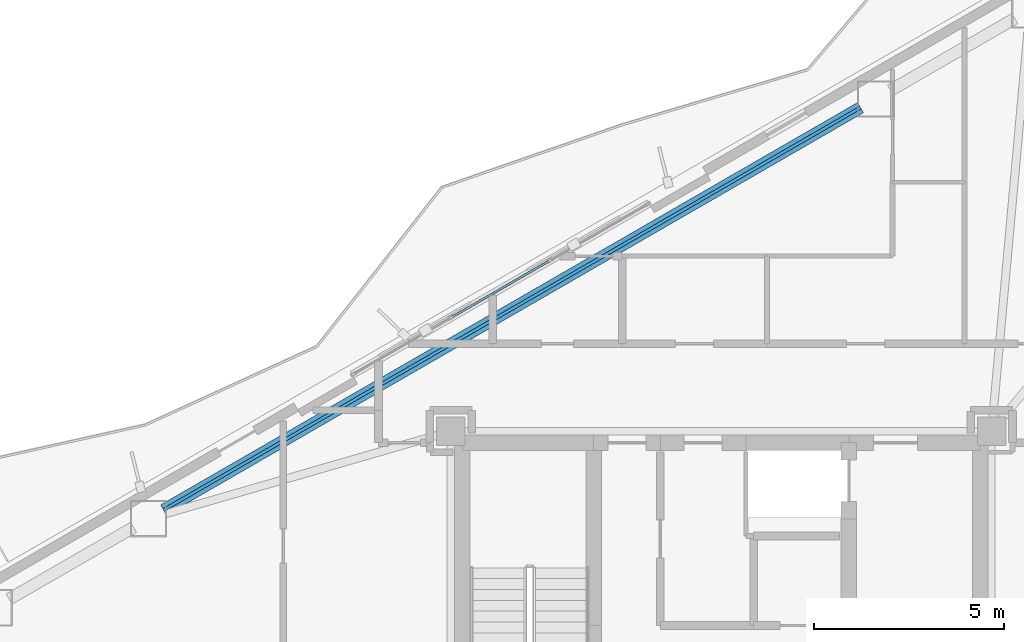
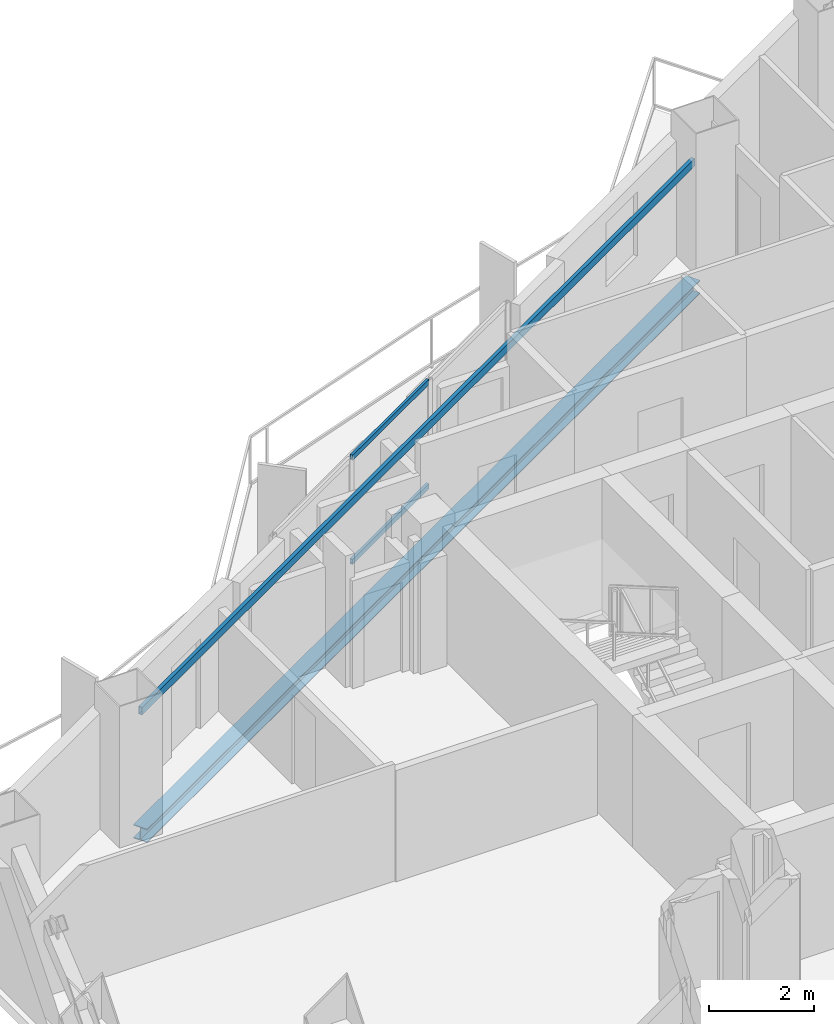
# One storey, part 9 of 21: 2 beams, 2 members, 1 element without a shape of its own.
"""IFC4 building model written with IfcOpenShell, lengths in metres."""

from ifc_helpers import new_model, si_unit, direction, frame, origin, origin_2d, place, context, subcontext, project, spatial, hollow_rectangle, i_section, extrude, material, layer, layer_set, material_profile, profile_set, type_object, element, aggregate, save


model = new_model("IFC4")

# Units and contexts
model_context = context("Model", 3, precision=1e-05, world=origin(), true_north=direction((0.0, 1.0)))
body_context = subcontext(model_context, "Body", "Model", "MODEL_VIEW")
ifc_project = project(units=[si_unit("LENGTHUNIT", "METRE"), si_unit("AREAUNIT", "SQUARE_METRE"), si_unit("VOLUMEUNIT", "CUBIC_METRE"), si_unit("PLANEANGLEUNIT", "RADIAN"), si_unit("MASSUNIT", "GRAM", prefix="KILO")], contexts=[model_context])

# Site, building, storey
site_placement = place(None, origin())
site = spatial("IfcSite", under=ifc_project, at=site_placement, CompositionType="ELEMENT")
building_placement = place(site_placement, origin())
building = spatial("IfcBuilding", under=site, at=building_placement, Name="Mersakhor Tower and Convention Hall", CompositionType="ELEMENT")
storey_placement = place(building_placement, frame((0.0, 0.0, 182.10009765625)))
storey = spatial("IfcBuildingStorey", under=building, at=storey_placement, Name="L50", CompositionType="ELEMENT", Elevation=182.10009765625)

# Beams
ifc_material_1 = material(Name="Steel S355", Category="steel")
ifc_material_profile_1 = material_profile(ifc_material_1, hollow_rectangle(XDim=0.080078125, YDim=0.179931640625, WallThickness=0.008056640625, at=origin_2d()), Name="RHS 180x80x8")
ifc_profile_set_1 = profile_set([ifc_material_profile_1], Name="Steel S355")
beam_type_1 = type_object("IfcBeamType", Name="BM-GRT-RHS180", PredefinedType="USERDEFINED", material=ifc_profile_set_1)
beam_1_placement = place(storey_placement, frame((14.353759765625, 30.982421875, 2.47998046875), z_axis=(0.866028813665, 0.499994093867, 0.0), x_axis=(-0.499994093867, 0.866028813665, 0.0)))
element("IfcBeam", 1, at=beam_1_placement, inside=storey, type_object=beam_type_1, Name="L50 Facade Support Girt GRT-F1", ObjectType="GIRT", PredefinedType="USERDEFINED", context=body_context, shape_type="SweptSolid", body=[
    extrude(hollow_rectangle(XDim=0.080078125, YDim=0.179931640625, WallThickness=0.008056640625, at=origin_2d()), origin(), (0.0, 0.0, 1.0), 21.135498046875),
])
ifc_material_2 = material(Name="Steel S355", Category="steel")
ifc_material_profile_2 = material_profile(ifc_material_2, i_section(OverallWidth=0.30908203125, OverallDepth=0.320556640625, WebThickness=0.013916015625, FlangeThickness=0.021728515625, at=origin_2d()), Name="UC 305x305x137")
ifc_profile_set_2 = profile_set([ifc_material_profile_2], Name="Steel S355")
beam_type_2 = type_object("IfcBeamType", Name="BM-SPD-UC305", PredefinedType="SPANDREL", material=ifc_profile_set_2)
beam_2_placement = place(storey_placement, frame((14.353759765625, 30.982421875, -0.390380859375), z_axis=(0.866028813665, 0.499994093867, 0.0), x_axis=(-0.499994093867, 0.866028813665, 0.0)))
element("IfcBeam", 2, at=beam_2_placement, inside=storey, type_object=beam_type_2, Name="L50 Perimeter Spandrel Beam SPB-02", PredefinedType="SPANDREL", context=body_context, shape_type="SweptSolid", body=[
    extrude(i_section(OverallWidth=0.30908203125, OverallDepth=0.320556640625, WebThickness=0.013916015625, FlangeThickness=0.021728515625, at=origin_2d()), origin(), (0.0, 0.0, 1.0), 21.135498046875),
])

# Curtain wall, members
ifc_material_3 = material(Name="Dark solar low-E aluminium curtain wall", Category="aluminium")
ifc_layer = layer(ifc_material_3, 0.169921875)
ifc_layer_set = layer_set([ifc_layer], Name="Dark solar low-E aluminium curtain wall")
curtain_wall_type = type_object("IfcCurtainWallType", Name="CW-SYS-02", PredefinedType="USERDEFINED", material=ifc_layer_set)
curtain_wall_placement = place(storey_placement, origin())
curtain_wall = element("IfcCurtainWall", 3, at=curtain_wall_placement, inside=storey, type_object=curtain_wall_type, Name="L50 Dark-Glass Curtain Wall F1-B2", ObjectType="CURTAIN WALL", PredefinedType="USERDEFINED")
ifc_material_4 = material(Name="Anodised aluminium EN AW-6063 T6", Category="aluminium")
ifc_material_profile_3 = material_profile(ifc_material_4, hollow_rectangle(XDim=0.06005859375, YDim=0.1201171875, WallThickness=0.0048828125, at=origin_2d()), Name="RHS 120x60x5")
ifc_profile_set_3 = profile_set([ifc_material_profile_3], Name="Anodised aluminium EN AW-6063 T6")
member_type = type_object("IfcMemberType", Name="CWT-120x60", PredefinedType="USERDEFINED", material=ifc_profile_set_3)
member_1_placement = place(storey_placement, frame((21.939453125, 36.0546875, 0.22998046875), z_axis=(0.866004860328, 0.500035580622, 0.0), x_axis=(-0.500035580622, 0.866004860328, 0.0)))
member_1 = element("IfcMember", 4, at=member_1_placement, type_object=member_type, Name="CW-02 transom 2.1", ObjectType="TRANSOM", PredefinedType="USERDEFINED", context=body_context, shape_type="SweptSolid", body=[
    extrude(hollow_rectangle(XDim=0.06005859375, YDim=0.1201171875, WallThickness=0.0048828125, at=origin_2d()), origin(), (0.0, 0.0, 1.0), 2.924560546875),
])
member_2_placement = place(storey_placement, frame((21.939453125, 36.0546875, 2.659912109375), z_axis=(0.866004860328, 0.500035580622, 0.0), x_axis=(-0.500035580622, 0.866004860328, 0.0)))
member_2 = element("IfcMember", 5, at=member_2_placement, type_object=member_type, Name="CW-02 transom 2.2", ObjectType="TRANSOM", PredefinedType="USERDEFINED", context=body_context, shape_type="SweptSolid", body=[
    extrude(hollow_rectangle(XDim=0.06005859375, YDim=0.1201171875, WallThickness=0.0048828125, at=origin_2d()), origin(), (0.0, 0.0, 1.0), 2.924560546875),
])
aggregate(curtain_wall, [member_1, member_2])

save(model, "model.ifc")
